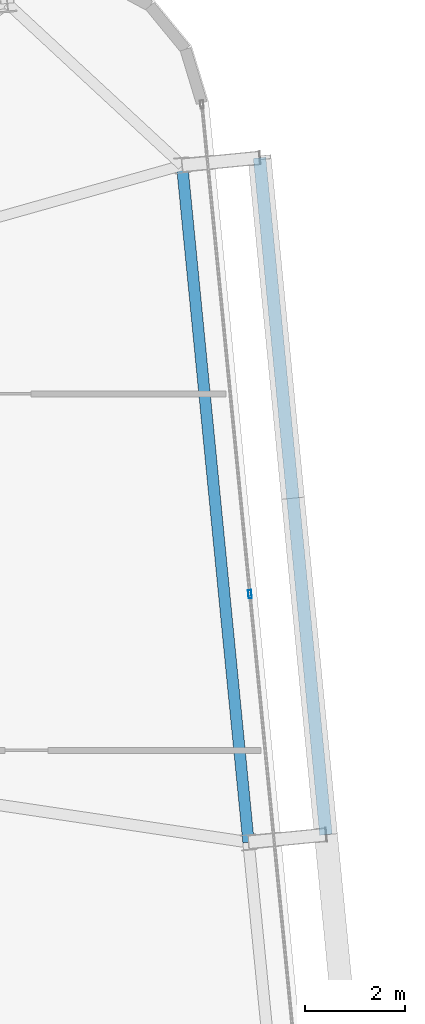
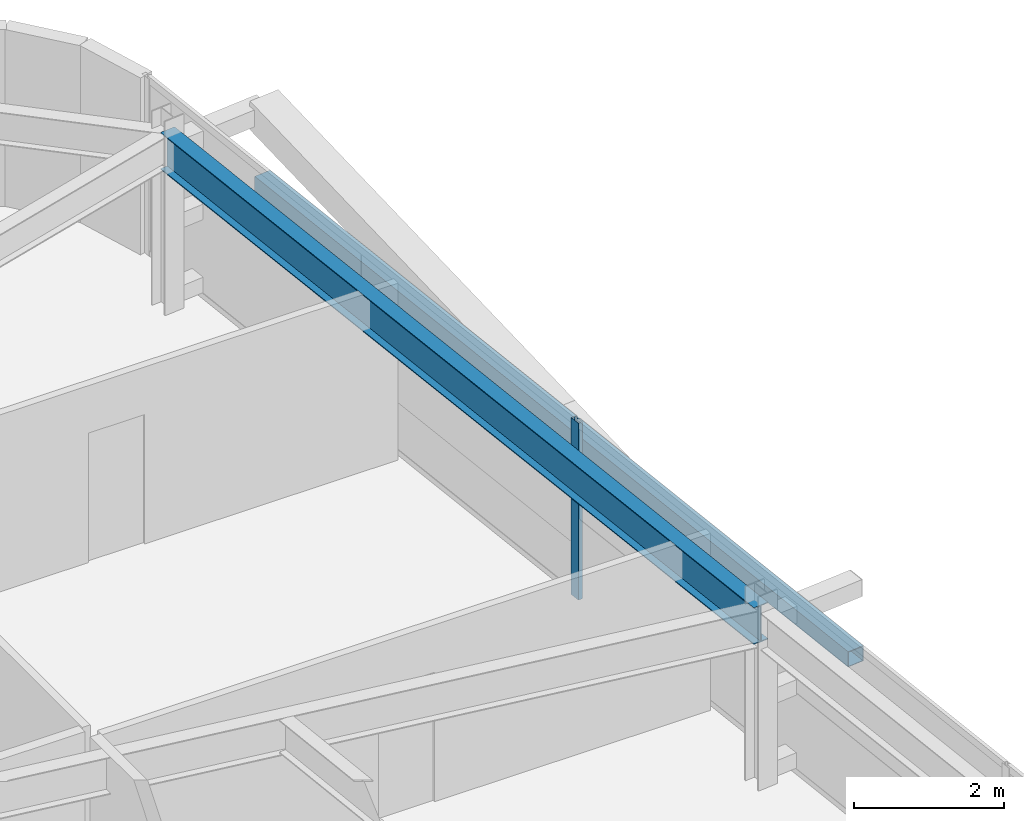
# One storey, part 23 of 47: 2 members, 1 beam, 1 element without a shape of its own.
"""IFC4 building model written with IfcOpenShell, lengths in metres."""

from ifc_helpers import new_model, si_unit, direction, frame, origin, origin_2d, place, context, subcontext, project, spatial, hollow_rectangle, i_section, extrude, source, transform, mapped, material, layer, layer_set, material_profile, profile_set, type_object, element, aggregate, save


model = new_model("IFC4")

# Units and contexts
model_context = context("Model", 3, precision=1e-05, world=origin(), true_north=direction((0.0, 1.0)))
body_context = subcontext(model_context, "Body", "Model", "MODEL_VIEW")
ifc_project = project(units=[si_unit("LENGTHUNIT", "METRE"), si_unit("AREAUNIT", "SQUARE_METRE"), si_unit("VOLUMEUNIT", "CUBIC_METRE"), si_unit("PLANEANGLEUNIT", "RADIAN"), si_unit("MASSUNIT", "GRAM", prefix="KILO")], contexts=[model_context])

# Site, building, storey
site_placement = place(None, origin())
site = spatial("IfcSite", under=ifc_project, at=site_placement, CompositionType="ELEMENT")
building_placement = place(site_placement, origin())
building = spatial("IfcBuilding", under=site, at=building_placement, Name="Taldren Reach Tower", CompositionType="ELEMENT")
storey_placement = place(building_placement, frame((0.0, 0.0, 109.199951171875)))
storey = spatial("IfcBuildingStorey", under=building, at=storey_placement, Name="L33", CompositionType="ELEMENT", Elevation=109.199951171875)

# Beam
ifc_material_1 = material(Name="Steel Gr 350 (350PLUS)", Category="steel")
ifc_material_profile_1 = material_profile(ifc_material_1, i_section(OverallWidth=0.22802734375, OverallDepth=0.60205078125, WebThickness=0.010498046875, FlangeThickness=0.014892578125, at=origin_2d()), Name="610UB101")
ifc_profile_set_1 = profile_set([ifc_material_profile_1], Name="Steel Gr 350 (350PLUS)")
beam_type = type_object("IfcBeamType", Name="BM-UB610B", PredefinedType="BEAM", material=ifc_profile_set_1)
shared_shape_1 = source(origin(), body_context, "Body", "SweptSolid", [
    extrude(i_section(OverallWidth=0.22802734375, OverallDepth=0.60205078125, WebThickness=0.010498046875, FlangeThickness=0.014892578125, at=origin_2d()), origin(), (0.0, 0.0, 1.0), 13.550048828125),
])
beam_placement = place(storey_placement, frame((64.569580078125, 21.968994140625, 2.569091796875), z_axis=(-0.097584021339, 0.995227290009, 0.0), x_axis=(-0.995227290009, -0.097584021339, 0.0)))
element("IfcBeam", 1, at=beam_placement, inside=storey, type_object=beam_type, Name="Perimeter gable girder B2 E2-E3 L33", PredefinedType="BEAM", context=body_context, shape_type="MappedRepresentation", body=[
    mapped(shared_shape_1, transform((0.0, 0.0, 0.0), scale=1.0)),
])

# Member
ifc_material_2 = material(Name="Steel Gr 350 (C350L0)", Category="steel")
ifc_material_profile_2 = material_profile(ifc_material_2, hollow_rectangle(XDim=0.25, YDim=0.25, WallThickness=0.010009765625, at=origin_2d()), Name="250x250x10.0SHS")
ifc_profile_set_2 = profile_set([ifc_material_profile_2], Name="Steel Gr 350 (C350L0)")
member_type_1 = type_object("IfcMemberType", Name="MB-POST250", PredefinedType="POST", material=ifc_profile_set_2)
shared_shape_2 = source(origin(), body_context, "Body", "SweptSolid", [
    extrude(hollow_rectangle(XDim=0.25, YDim=0.25, WallThickness=0.010009765625, at=origin_2d()), origin(), (0.0, 0.0, 1.0), 13.550048828125),
])
member_1_placement = place(storey_placement, frame((66.112060546875, 22.1201171875, 1.405029296875), z_axis=(-0.097584021339, 0.995227290009, 0.0), x_axis=(-0.995227290009, -0.097584021339, 0.0)))
element("IfcMember", 2, at=member_1_placement, inside=storey, type_object=member_type_1, Name="Exoskeleton mid-height ring chord B2-E2 L33", PredefinedType="POST", context=body_context, shape_type="MappedRepresentation", body=[
    mapped(shared_shape_2, transform((0.0, 0.0, 0.0), scale=1.0)),
])

# Curtain wall, member
ifc_material_3 = material(Name="Aluminium and Low-E Glass Unitised System", Category="aluminium")
ifc_layer = layer(ifc_material_3, 0.159912109375)
ifc_layer_set = layer_set([ifc_layer], Name="Aluminium and Low-E Glass Unitised System")
curtain_wall_type = type_object("IfcCurtainWallType", Name="CW-SYS-3", PredefinedType="NOTDEFINED", material=ifc_layer_set)
curtain_wall_placement = place(storey_placement, origin())
curtain_wall = element("IfcCurtainWall", 3, at=curtain_wall_placement, inside=storey, type_object=curtain_wall_type, Name="Unitised curtain wall CW-L33-E", PredefinedType="NOTDEFINED")
ifc_material_4 = material(Name="Anodised Aluminium 6063-T6", Category="aluminium")
ifc_material_profile_3 = material_profile(ifc_material_4, hollow_rectangle(XDim=0.06494140625, YDim=0.1650390625, WallThickness=0.00390625, at=origin_2d()), Name="ALU-165x65x4RHS")
ifc_profile_set_3 = profile_set([ifc_material_profile_3], Name="Anodised Aluminium 6063-T6")
member_type_2 = type_object("IfcMemberType", Name="CW-MUL-165", PredefinedType="MULLION", material=ifc_profile_set_3)
shared_shape_3 = source(origin(), body_context, "Body", "SweptSolid", [
    extrude(hollow_rectangle(XDim=0.06494140625, YDim=0.1650390625, WallThickness=0.00390625, at=origin_2d()), origin(), (0.0, 0.0, 1.0), 2.8701171875),
])
member_2_placement = place(storey_placement, frame((64.59716796875, 26.911865234375, 0.0), z_axis=(0.0, 0.0, 1.0), x_axis=(-0.99522741555, -0.09758274098, 0.0)))
member_2 = element("IfcMember", 4, at=member_2_placement, type_object=member_type_2, Name="CW-3 mullion 3", PredefinedType="MULLION", context=body_context, shape_type="MappedRepresentation", body=[
    mapped(shared_shape_3, transform((0.0, 0.0, 0.0), scale=1.0)),
])
aggregate(curtain_wall, [member_2])

save(model, "model.ifc")
